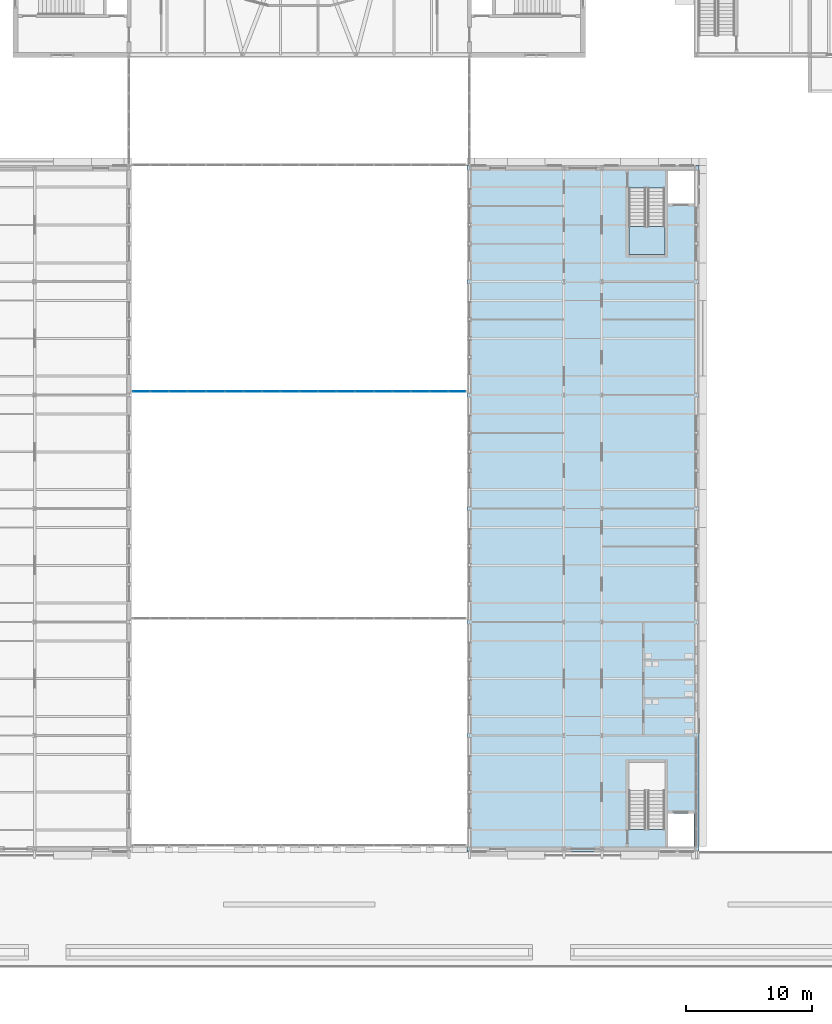
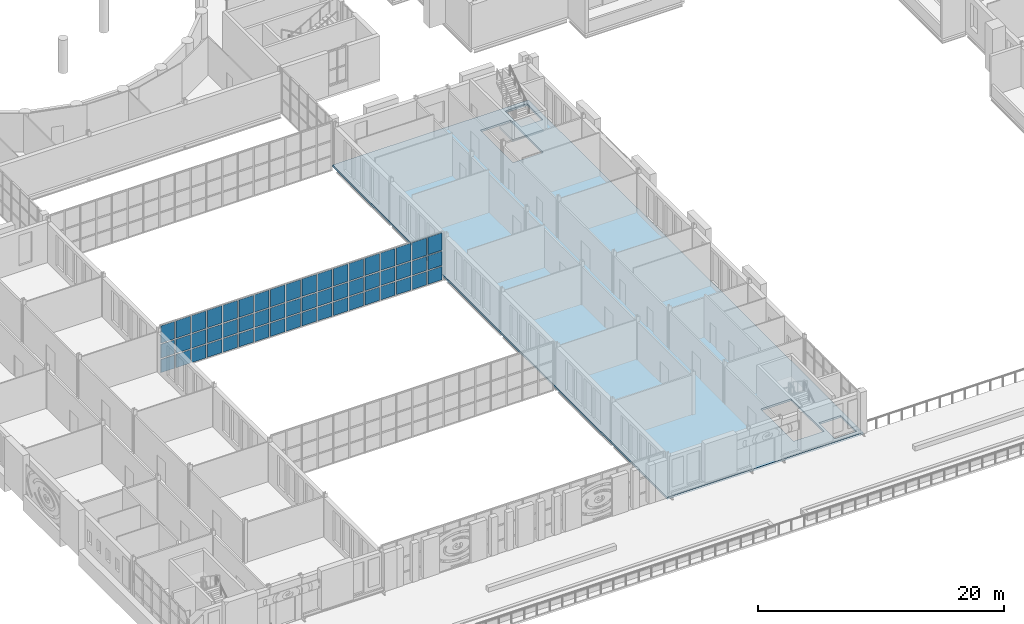
# One storey, part 61 of 134: 54 plates, 2 slabs, 2 elements without a shape of their own.
"""IFC4 building model written with IfcOpenShell, lengths in metres."""

import ifcopenshell
import ifcopenshell.guid

model = None  # the IFC model being written
_history = None  # IfcOwnerHistory: only IFC2X3 demands one
_inside = {}  # id of a spatial element -> (the spatial element, [elements in it])
_under = {}  # id of a project, library or spatial element -> (it, [spatial elements below it])
_declared = {}  # id of a project -> (the project, [libraries it declares])
_typed = {}  # id of a type object -> (the type object, [elements of that type])
_made_of = {}  # id of a material, layer set ... -> (it, [elements and type objects made of it])


def new_model(schema):
    """Start an empty IFC model of exactly this schema.

    Asked for "IFC4X3", IfcOpenShell would pick the latest addendum, in which some entities
    have other attributes; the version numbers below select the first issue.
    IFC2X3 requires an IfcOwnerHistory on every rooted entity: one is made here for all.
    """
    global model, _history
    if schema == "IFC4X3":
        model = ifcopenshell.file(schema_version=(4, 3, 0, 0))
    else:
        model = ifcopenshell.file(schema=schema)
    _inside.clear()
    _under.clear()
    _declared.clear()
    _typed.clear()
    _made_of.clear()
    _history = None
    if model.schema == "IFC2X3":
        org = make("IfcOrganization", Name="unknown")
        user = make(
            "IfcPersonAndOrganization",
            ThePerson=make("IfcPerson", FamilyName="unknown"),
            TheOrganization=org,
        )
        app = make(
            "IfcApplication",
            ApplicationDeveloper=org,
            Version="unknown",
            ApplicationFullName="unknown",
            ApplicationIdentifier="unknown",
        )
        _history = make(
            "IfcOwnerHistory",
            OwningUser=user,
            OwningApplication=app,
            ChangeAction="ADDED",
            CreationDate=0,
        )
    return model


def make(cls, **values):
    """One entity of the class cls with the attributes given. An attribute that is None is left unset."""
    return model.create_entity(
        cls, **{name: value for name, value in values.items() if value is not None}
    )


def rooted(cls, **values):
    """An entity with a GlobalId (a new one), such as an element, a storey or a relation."""
    return make(cls, GlobalId=ifcopenshell.guid.new(), OwnerHistory=_history, **values)


def si_unit(unit_type, name, prefix=None):
    """IfcSIUnit, for example si_unit("LENGTHUNIT", "METRE", prefix="MILLI")."""
    return make("IfcSIUnit", UnitType=unit_type, Prefix=prefix, Name=name)


def assignment(units):
    """IfcUnitAssignment: the units of a project."""
    return None if units is None else make("IfcUnitAssignment", Units=units)


def point(xyz):
    """IfcCartesianPoint."""
    return None if xyz is None else make("IfcCartesianPoint", Coordinates=xyz)


def direction(xyz):
    """IfcDirection."""
    return None if xyz is None else make("IfcDirection", DirectionRatios=xyz)


def frame(location, z_axis=None, x_axis=None):
    """IfcAxis2Placement3D, a coordinate frame: its origin and axes. An axis left out is left unset."""
    return make(
        "IfcAxis2Placement3D",
        Location=point(location),
        Axis=direction(z_axis),
        RefDirection=direction(x_axis),
    )


def frame_2d(location, x_axis=None):
    """IfcAxis2Placement2D, a coordinate frame in the plane: its origin and x axis."""
    return make(
        "IfcAxis2Placement2D", Location=point(location), RefDirection=direction(x_axis)
    )


def origin():
    """The frame at (0, 0, 0) with its axes left unset."""
    return frame((0.0, 0.0, 0.0))


def origin_2d():
    """The frame at (0, 0) in the plane with its x axis left unset."""
    return frame_2d((0.0, 0.0))


def place(relative_to, where):
    """IfcLocalPlacement: puts the frame where relative to a parent placement (None: the world)."""
    return make(
        "IfcLocalPlacement", PlacementRelTo=relative_to, RelativePlacement=where
    )


def context(
    kind, dimensions, precision=None, world=None, true_north=None, identifier=None
):
    """IfcGeometricRepresentationContext, for example the 3D "Model" context."""
    return make(
        "IfcGeometricRepresentationContext",
        ContextIdentifier=identifier,
        ContextType=kind,
        CoordinateSpaceDimension=dimensions,
        Precision=precision,
        WorldCoordinateSystem=world,
        TrueNorth=true_north,
    )


def subcontext(parent, identifier, kind, view, scale=None):
    """IfcGeometricRepresentationSubContext, for example "Body" below "Model"."""
    return make(
        "IfcGeometricRepresentationSubContext",
        ContextIdentifier=identifier,
        ContextType=kind,
        ParentContext=parent,
        TargetScale=scale,
        TargetView=view,
    )


def project(units=None, contexts=None):
    """IfcProject with its units and contexts."""
    return rooted(
        "IfcProject",
        Name="project",
        RepresentationContexts=contexts,
        UnitsInContext=assignment(units),
    )


def spatial(cls, under=None, at=None, **own):
    """A site, building, storey or space (cls), placed at a placement, below another one or the project."""
    s = rooted(cls, ObjectPlacement=at, **own)
    if under is not None:
        _under.setdefault(under.id(), (under, []))[1].append(s)
    return s


def polyline(points):
    """IfcPolyline through the points."""
    return make("IfcPolyline", Points=[point(p) for p in points])


def profile(cls, at=None, kind="AREA", **sizes):
    """A parametric profile (cls). Its sizes go by their IFC names, for example OverallWidth=200.0."""
    return make(cls, ProfileType=kind, Position=at, **sizes)


def rectangle(**sizes):
    """IfcRectangleProfileDef."""
    return profile("IfcRectangleProfileDef", **sizes)


def outline(outer, holes=None, kind="AREA"):
    """IfcArbitraryClosedProfileDef: a profile drawn as a closed curve; with holes, ...WithVoids."""
    if holes is None:
        return make("IfcArbitraryClosedProfileDef", ProfileType=kind, OuterCurve=outer)
    return make(
        "IfcArbitraryProfileDefWithVoids",
        ProfileType=kind,
        OuterCurve=outer,
        InnerCurves=holes,
    )


def extrude(swept, where, along, depth):
    """IfcExtrudedAreaSolid: the profile swept, set in the frame where, extruded along a direction by depth."""
    return make(
        "IfcExtrudedAreaSolid",
        SweptArea=swept,
        Position=where,
        ExtrudedDirection=direction(along),
        Depth=depth,
    )


def shape(context_of_items, identifier, shape_type, items):
    """IfcShapeRepresentation: the items that make up one representation, for example the "Body"."""
    return make(
        "IfcShapeRepresentation",
        ContextOfItems=context_of_items,
        RepresentationIdentifier=identifier,
        RepresentationType=shape_type,
        Items=items,
    )


def material(Name=None, Category=None):
    """IfcMaterial."""
    return make("IfcMaterial", Name=Name, Category=Category)


def layer(
    of_material, thickness, ventilated=None, Name=None, Category=None, Priority=None
):
    """IfcMaterialLayer: one layer of a wall or slab, of a material (None: an air gap)."""
    return make(
        "IfcMaterialLayer",
        Material=of_material,
        LayerThickness=thickness,
        IsVentilated=ventilated,
        Name=Name,
        Category=Category,
        Priority=Priority,
    )


def layer_set(layers, Name=None):
    """IfcMaterialLayerSet."""
    return make("IfcMaterialLayerSet", MaterialLayers=layers, LayerSetName=Name)


def made_of(thing, what):
    """Note that an element or type object is made of a material, layer set ...; save() writes the relation."""
    if what is not None:
        _made_of.setdefault(what.id(), (what, []))[1].append(thing)
    return thing


def type_object(cls, material=None, **own):
    """A type object (cls), such as IfcWallType, which elements share."""
    return made_of(rooted(cls, **own), material)


def element(
    cls,
    number,
    at=None,
    inside=None,
    cuts=None,
    type_object=None,
    material=None,
    context=None,
    identifier="Body",
    shape_type=None,
    held_by="IfcProductDefinitionShape",
    body=None,
    shapes=None,
    **own,
):
    """One element of the class cls, such as IfcWall. Its Tag is "e" and its number.

    at: its placement. inside: the storey or other place that contains it. cuts: it is an
    opening in that element (IfcRelVoidsElement). A single representation is given by context,
    identifier, shape_type and body (its items); several are given by shapes. held_by: the class
    of the entity that holds the representations. save() writes the other relations.
    """
    e = rooted(cls, Tag="e%d" % number, ObjectPlacement=at, **own)
    if body is not None:
        shapes = [shape(context, identifier, shape_type, body)]
    if shapes is not None:
        e.Representation = make(held_by, Representations=shapes)
    if inside is not None:
        _inside.setdefault(inside.id(), (inside, []))[1].append(e)
    if cuts is not None:
        rooted(
            "IfcRelVoidsElement", RelatingBuildingElement=cuts, RelatedOpeningElement=e
        )
    if type_object is not None:
        _typed.setdefault(type_object.id(), (type_object, []))[1].append(e)
    return made_of(e, material)


def aggregate(whole, parts):
    """IfcRelAggregates: a whole, such as a stair, and the parts it consists of."""
    return rooted("IfcRelAggregates", RelatingObject=whole, RelatedObjects=parts)


def save(model, path):
    """Write the relations noted so far, then the file.

    IfcRelAggregates (storeys below a building ...), IfcRelContainedInSpatialStructure (elements
    in a storey), IfcRelDefinesByType, IfcRelAssociatesMaterial and IfcRelDeclares: one each for
    every whole, place, type object, material and project.
    """
    for whole, parts in _under.values():
        aggregate(whole, parts)
    for where, things in _inside.values():
        rooted(
            "IfcRelContainedInSpatialStructure",
            RelatedElements=things,
            RelatingStructure=where,
        )
    for kind, things in _typed.values():
        rooted("IfcRelDefinesByType", RelatedObjects=things, RelatingType=kind)
    for what, things in _made_of.values():
        rooted("IfcRelAssociatesMaterial", RelatedObjects=things, RelatingMaterial=what)
    for by, libraries in _declared.values():
        rooted("IfcRelDeclares", RelatingContext=by, RelatedDefinitions=libraries)
    model.write(path)


model = new_model("IFC4")

# Units and contexts
model_context = context("Model", 3, precision=1e-05, world=origin(), true_north=direction((0.0, 1.0)))
body_context = subcontext(model_context, "Body", "Model", "MODEL_VIEW")
ifc_project = project(units=[si_unit("LENGTHUNIT", "METRE"), si_unit("AREAUNIT", "SQUARE_METRE"), si_unit("VOLUMEUNIT", "CUBIC_METRE"), si_unit("PLANEANGLEUNIT", "RADIAN"), si_unit("MASSUNIT", "GRAM", prefix="KILO")], contexts=[model_context])

# Site, building, storey
site_placement = place(None, origin())
site = spatial("IfcSite", under=ifc_project, at=site_placement, CompositionType="ELEMENT")
building_placement = place(site_placement, origin())
building = spatial("IfcBuilding", under=site, at=building_placement, Name="Golden Quay Civic Hall", CompositionType="ELEMENT")
storey_placement = place(building_placement, frame((0.0, 0.0, 5.39990234375)))
storey = spatial("IfcBuildingStorey", under=building, at=storey_placement, Name="L01", CompositionType="ELEMENT", Elevation=5.39990234375)

# Slab
ifc_material_1 = material(Name="Concrete C35/45", Category="concrete")
ifc_layer_1 = layer(ifc_material_1, 0.199951171875)
ifc_layer_set_1 = layer_set([ifc_layer_1], Name="Composite floor 200")
slab_type_1 = type_object("IfcSlabType", Name="Composite floor 200", PredefinedType="FLOOR", material=ifc_layer_set_1)
slab_1_placement = place(storey_placement, frame((0.0, 0.0, -0.199951171875)))
element("IfcSlab", 1, at=slab_1_placement, inside=storey, type_object=slab_type_1, Name="EM floor L01", PredefinedType="FLOOR", context=body_context, shape_type="SweptSolid", body=[
    extrude(outline(polyline([(98.800048828125, 54.199951171875), (117.199951171875, 54.199951171875), (117.199951171875, -0.199951171875), (98.800048828125, -0.199951171875), (98.800048828125, 54.199951171875)]), holes=[polyline([(114.5, 1.554931640625), (114.5, 6.85009765625), (111.64990234375, 6.85009765625), (111.64990234375, 1.554931640625), (114.5, 1.554931640625)]), polyline([(114.75, 0.199951171875), (116.800048828125, 0.199951171875), (116.800048828125, 2.800048828125), (114.75, 2.800048828125), (114.75, 0.199951171875)]), polyline([(111.64990234375, 52.445068359375), (111.64990234375, 47.14990234375), (114.5, 47.14990234375), (114.5, 52.445068359375), (111.64990234375, 52.445068359375)]), polyline([(116.800048828125, 53.800048828125), (114.75, 53.800048828125), (114.75, 51.199951171875), (116.800048828125, 51.199951171875), (116.800048828125, 53.800048828125)])]), origin(), (0.0, 0.0, 1.0), 0.199951171875),
])

# Stair, slab
ifc_material_2 = material(Name="Concrete C35/45", Category="concrete")
stair_type = type_object("IfcStairType", Name="Concrete stair 1350 wide 24 risers of 187.5", PredefinedType="HALF_TURN_STAIR", material=ifc_material_2)
stair_placement = place(storey_placement, origin())
stair = element("IfcStair", 2, at=stair_placement, inside=storey, type_object=stair_type, Name="L01 Stair EM-N", PredefinedType="HALF_TURN_STAIR")
ifc_material_3 = material(Name="Concrete C35/45", Category="concrete")
ifc_layer_2 = layer(ifc_material_3, 0.199951171875)
ifc_layer_set_2 = layer_set([ifc_layer_2], Name="Concrete stair landing 200, Concrete C35/45")
slab_type_2 = type_object("IfcSlabType", Name="Concrete stair landing 200", PredefinedType="LANDING", material=ifc_layer_set_2)
slab_2_placement = place(storey_placement, frame((0.0, 0.0, 2.050048828125)))
slab_2 = element("IfcSlab", 3, at=slab_2_placement, type_object=slab_type_2, Name="EM-N landing 1", PredefinedType="LANDING", context=body_context, shape_type="SweptSolid", body=[
    extrude(outline(polyline([(111.64990234375, 49.3701171875), (111.64990234375, 47.14990234375), (114.5, 47.14990234375), (114.5, 49.3701171875), (111.64990234375, 49.3701171875)])), origin(), (0.0, 0.0, 1.0), 0.199951171875),
])
aggregate(stair, [slab_2])

# Curtain wall, plates
ifc_material_4 = material(Name="Fire-resisting glass and steel", Category="steel")
curtain_wall_type = type_object("IfcCurtainWallType", Name="Fire-resisting glazed curtain wall EI 120", PredefinedType="NOTDEFINED", material=ifc_material_4)
curtain_wall_placement = place(storey_placement, origin())
curtain_wall = element("IfcCurtainWall", 4, at=curtain_wall_placement, inside=storey, type_object=curtain_wall_type, Name="CW3 curtain wall", PredefinedType="NOTDEFINED")
ifc_material_5 = material(Name="Fire-resisting laminated glass", Category="glass")
ifc_layer_3 = layer(ifc_material_5, 0.0400390625)
ifc_layer_set_3 = layer_set([ifc_layer_3], Name="Fire-resisting glazed panel 40")
plate_type = type_object("IfcPlateType", Name="Fire-resisting glazed panel 40", PredefinedType="CURTAIN_PANEL", material=ifc_layer_set_3)
plate_1_placement = place(storey_placement, frame((72.968994140625, 36.27001953125, -0.47998046875), z_axis=(0.0, 0.0, 1.0), x_axis=(1.0, 0.0, 0.0)))
plate_1 = element("IfcPlate", 5, at=plate_1_placement, type_object=plate_type, Name="CW3 panel 1.1", PredefinedType="CURTAIN_PANEL", context=body_context, shape_type="SweptSolid", body=[
    extrude(rectangle(XDim=1.2978515625, YDim=0.0400390625, at=origin_2d()), origin(), (0.0, 0.0, 1.0), 1.320068359375),
])
plate_2_placement = place(storey_placement, frame((72.968994140625, 36.27001953125, 0.960205078125), z_axis=(0.0, 0.0, 1.0), x_axis=(1.0, 0.0, 0.0)))
plate_2 = element("IfcPlate", 6, at=plate_2_placement, type_object=plate_type, Name="CW3 panel 1.2", PredefinedType="CURTAIN_PANEL", context=body_context, shape_type="SweptSolid", body=[
    extrude(rectangle(XDim=1.2978515625, YDim=0.0400390625, at=origin_2d()), origin(), (0.0, 0.0, 1.0), 1.3798828125),
])
plate_3_placement = place(storey_placement, frame((72.968994140625, 36.27001953125, 2.4599609375), z_axis=(0.0, 0.0, 1.0), x_axis=(1.0, 0.0, 0.0)))
plate_3 = element("IfcPlate", 7, at=plate_3_placement, type_object=plate_type, Name="CW3 panel 1.3", PredefinedType="CURTAIN_PANEL", context=body_context, shape_type="SweptSolid", body=[
    extrude(rectangle(XDim=1.2978515625, YDim=0.0400390625, at=origin_2d()), origin(), (0.0, 0.0, 1.0), 1.719970703125),
])
plate_4_placement = place(storey_placement, frame((74.416748046875, 36.27001953125, -0.47998046875), z_axis=(0.0, 0.0, 1.0), x_axis=(1.0, 0.0, 0.0)))
plate_4 = element("IfcPlate", 8, at=plate_4_placement, type_object=plate_type, Name="CW3 panel 2.1", PredefinedType="CURTAIN_PANEL", context=body_context, shape_type="SweptSolid", body=[
    extrude(rectangle(XDim=1.357666015625, YDim=0.0400390625, at=origin_2d()), origin(), (0.0, 0.0, 1.0), 1.320068359375),
])
plate_5_placement = place(storey_placement, frame((74.416748046875, 36.27001953125, 0.960205078125), z_axis=(0.0, 0.0, 1.0), x_axis=(1.0, 0.0, 0.0)))
plate_5 = element("IfcPlate", 9, at=plate_5_placement, type_object=plate_type, Name="CW3 panel 2.2", PredefinedType="CURTAIN_PANEL", context=body_context, shape_type="SweptSolid", body=[
    extrude(rectangle(XDim=1.357666015625, YDim=0.0400390625, at=origin_2d()), origin(), (0.0, 0.0, 1.0), 1.3798828125),
])
plate_6_placement = place(storey_placement, frame((74.416748046875, 36.27001953125, 2.4599609375), z_axis=(0.0, 0.0, 1.0), x_axis=(1.0, 0.0, 0.0)))
plate_6 = element("IfcPlate", 10, at=plate_6_placement, type_object=plate_type, Name="CW3 panel 2.3", PredefinedType="CURTAIN_PANEL", context=body_context, shape_type="SweptSolid", body=[
    extrude(rectangle(XDim=1.357666015625, YDim=0.0400390625, at=origin_2d()), origin(), (0.0, 0.0, 1.0), 1.719970703125),
])
plate_7_placement = place(storey_placement, frame((75.89453125, 36.27001953125, -0.47998046875), z_axis=(0.0, 0.0, 1.0), x_axis=(1.0, 0.0, 0.0)))
plate_7 = element("IfcPlate", 11, at=plate_7_placement, type_object=plate_type, Name="CW3 panel 3.1", PredefinedType="CURTAIN_PANEL", context=body_context, shape_type="SweptSolid", body=[
    extrude(rectangle(XDim=1.357666015625, YDim=0.0400390625, at=origin_2d()), origin(), (0.0, 0.0, 1.0), 1.320068359375),
])
plate_8_placement = place(storey_placement, frame((75.89453125, 36.27001953125, 0.960205078125), z_axis=(0.0, 0.0, 1.0), x_axis=(1.0, 0.0, 0.0)))
plate_8 = element("IfcPlate", 12, at=plate_8_placement, type_object=plate_type, Name="CW3 panel 3.2", PredefinedType="CURTAIN_PANEL", context=body_context, shape_type="SweptSolid", body=[
    extrude(rectangle(XDim=1.357666015625, YDim=0.0400390625, at=origin_2d()), origin(), (0.0, 0.0, 1.0), 1.3798828125),
])
plate_9_placement = place(storey_placement, frame((75.89453125, 36.27001953125, 2.4599609375), z_axis=(0.0, 0.0, 1.0), x_axis=(1.0, 0.0, 0.0)))
plate_9 = element("IfcPlate", 13, at=plate_9_placement, type_object=plate_type, Name="CW3 panel 3.3", PredefinedType="CURTAIN_PANEL", context=body_context, shape_type="SweptSolid", body=[
    extrude(rectangle(XDim=1.357666015625, YDim=0.0400390625, at=origin_2d()), origin(), (0.0, 0.0, 1.0), 1.719970703125),
])
plate_10_placement = place(storey_placement, frame((77.372314453125, 36.27001953125, -0.47998046875), z_axis=(0.0, 0.0, 1.0), x_axis=(1.0, 0.0, 0.0)))
plate_10 = element("IfcPlate", 14, at=plate_10_placement, type_object=plate_type, Name="CW3 panel 4.1", PredefinedType="CURTAIN_PANEL", context=body_context, shape_type="SweptSolid", body=[
    extrude(rectangle(XDim=1.357666015625, YDim=0.0400390625, at=origin_2d()), origin(), (0.0, 0.0, 1.0), 1.320068359375),
])
plate_11_placement = place(storey_placement, frame((77.372314453125, 36.27001953125, 0.960205078125), z_axis=(0.0, 0.0, 1.0), x_axis=(1.0, 0.0, 0.0)))
plate_11 = element("IfcPlate", 15, at=plate_11_placement, type_object=plate_type, Name="CW3 panel 4.2", PredefinedType="CURTAIN_PANEL", context=body_context, shape_type="SweptSolid", body=[
    extrude(rectangle(XDim=1.357666015625, YDim=0.0400390625, at=origin_2d()), origin(), (0.0, 0.0, 1.0), 1.3798828125),
])
plate_12_placement = place(storey_placement, frame((77.372314453125, 36.27001953125, 2.4599609375), z_axis=(0.0, 0.0, 1.0), x_axis=(1.0, 0.0, 0.0)))
plate_12 = element("IfcPlate", 16, at=plate_12_placement, type_object=plate_type, Name="CW3 panel 4.3", PredefinedType="CURTAIN_PANEL", context=body_context, shape_type="SweptSolid", body=[
    extrude(rectangle(XDim=1.357666015625, YDim=0.0400390625, at=origin_2d()), origin(), (0.0, 0.0, 1.0), 1.719970703125),
])
plate_13_placement = place(storey_placement, frame((78.85009765625, 36.27001953125, -0.47998046875), z_axis=(0.0, 0.0, 1.0), x_axis=(1.0, 0.0, 0.0)))
plate_13 = element("IfcPlate", 17, at=plate_13_placement, type_object=plate_type, Name="CW3 panel 5.1", PredefinedType="CURTAIN_PANEL", context=body_context, shape_type="SweptSolid", body=[
    extrude(rectangle(XDim=1.357666015625, YDim=0.0400390625, at=origin_2d()), origin(), (0.0, 0.0, 1.0), 1.320068359375),
])
plate_14_placement = place(storey_placement, frame((78.85009765625, 36.27001953125, 0.960205078125), z_axis=(0.0, 0.0, 1.0), x_axis=(1.0, 0.0, 0.0)))
plate_14 = element("IfcPlate", 18, at=plate_14_placement, type_object=plate_type, Name="CW3 panel 5.2", PredefinedType="CURTAIN_PANEL", context=body_context, shape_type="SweptSolid", body=[
    extrude(rectangle(XDim=1.357666015625, YDim=0.0400390625, at=origin_2d()), origin(), (0.0, 0.0, 1.0), 1.3798828125),
])
plate_15_placement = place(storey_placement, frame((78.85009765625, 36.27001953125, 2.4599609375), z_axis=(0.0, 0.0, 1.0), x_axis=(1.0, 0.0, 0.0)))
plate_15 = element("IfcPlate", 19, at=plate_15_placement, type_object=plate_type, Name="CW3 panel 5.3", PredefinedType="CURTAIN_PANEL", context=body_context, shape_type="SweptSolid", body=[
    extrude(rectangle(XDim=1.357666015625, YDim=0.0400390625, at=origin_2d()), origin(), (0.0, 0.0, 1.0), 1.719970703125),
])
plate_16_placement = place(storey_placement, frame((80.327880859375, 36.27001953125, -0.47998046875), z_axis=(0.0, 0.0, 1.0), x_axis=(1.0, 0.0, 0.0)))
plate_16 = element("IfcPlate", 20, at=plate_16_placement, type_object=plate_type, Name="CW3 panel 6.1", PredefinedType="CURTAIN_PANEL", context=body_context, shape_type="SweptSolid", body=[
    extrude(rectangle(XDim=1.357666015625, YDim=0.0400390625, at=origin_2d()), origin(), (0.0, 0.0, 1.0), 1.320068359375),
])
plate_17_placement = place(storey_placement, frame((80.327880859375, 36.27001953125, 0.960205078125), z_axis=(0.0, 0.0, 1.0), x_axis=(1.0, 0.0, 0.0)))
plate_17 = element("IfcPlate", 21, at=plate_17_placement, type_object=plate_type, Name="CW3 panel 6.2", PredefinedType="CURTAIN_PANEL", context=body_context, shape_type="SweptSolid", body=[
    extrude(rectangle(XDim=1.357666015625, YDim=0.0400390625, at=origin_2d()), origin(), (0.0, 0.0, 1.0), 1.3798828125),
])
plate_18_placement = place(storey_placement, frame((80.327880859375, 36.27001953125, 2.4599609375), z_axis=(0.0, 0.0, 1.0), x_axis=(1.0, 0.0, 0.0)))
plate_18 = element("IfcPlate", 22, at=plate_18_placement, type_object=plate_type, Name="CW3 panel 6.3", PredefinedType="CURTAIN_PANEL", context=body_context, shape_type="SweptSolid", body=[
    extrude(rectangle(XDim=1.357666015625, YDim=0.0400390625, at=origin_2d()), origin(), (0.0, 0.0, 1.0), 1.719970703125),
])
plate_19_placement = place(storey_placement, frame((81.8056640625, 36.27001953125, -0.47998046875), z_axis=(0.0, 0.0, 1.0), x_axis=(1.0, 0.0, 0.0)))
plate_19 = element("IfcPlate", 23, at=plate_19_placement, type_object=plate_type, Name="CW3 panel 7.1", PredefinedType="CURTAIN_PANEL", context=body_context, shape_type="SweptSolid", body=[
    extrude(rectangle(XDim=1.357666015625, YDim=0.0400390625, at=origin_2d()), origin(), (0.0, 0.0, 1.0), 1.320068359375),
])
plate_20_placement = place(storey_placement, frame((81.8056640625, 36.27001953125, 0.960205078125), z_axis=(0.0, 0.0, 1.0), x_axis=(1.0, 0.0, 0.0)))
plate_20 = element("IfcPlate", 24, at=plate_20_placement, type_object=plate_type, Name="CW3 panel 7.2", PredefinedType="CURTAIN_PANEL", context=body_context, shape_type="SweptSolid", body=[
    extrude(rectangle(XDim=1.357666015625, YDim=0.0400390625, at=origin_2d()), origin(), (0.0, 0.0, 1.0), 1.3798828125),
])
plate_21_placement = place(storey_placement, frame((81.8056640625, 36.27001953125, 2.4599609375), z_axis=(0.0, 0.0, 1.0), x_axis=(1.0, 0.0, 0.0)))
plate_21 = element("IfcPlate", 25, at=plate_21_placement, type_object=plate_type, Name="CW3 panel 7.3", PredefinedType="CURTAIN_PANEL", context=body_context, shape_type="SweptSolid", body=[
    extrude(rectangle(XDim=1.357666015625, YDim=0.0400390625, at=origin_2d()), origin(), (0.0, 0.0, 1.0), 1.719970703125),
])
plate_22_placement = place(storey_placement, frame((83.283447265625, 36.27001953125, -0.47998046875), z_axis=(0.0, 0.0, 1.0), x_axis=(1.0, 0.0, 0.0)))
plate_22 = element("IfcPlate", 26, at=plate_22_placement, type_object=plate_type, Name="CW3 panel 8.1", PredefinedType="CURTAIN_PANEL", context=body_context, shape_type="SweptSolid", body=[
    extrude(rectangle(XDim=1.357666015625, YDim=0.0400390625, at=origin_2d()), origin(), (0.0, 0.0, 1.0), 1.320068359375),
])
plate_23_placement = place(storey_placement, frame((83.283447265625, 36.27001953125, 0.960205078125), z_axis=(0.0, 0.0, 1.0), x_axis=(1.0, 0.0, 0.0)))
plate_23 = element("IfcPlate", 27, at=plate_23_placement, type_object=plate_type, Name="CW3 panel 8.2", PredefinedType="CURTAIN_PANEL", context=body_context, shape_type="SweptSolid", body=[
    extrude(rectangle(XDim=1.357666015625, YDim=0.0400390625, at=origin_2d()), origin(), (0.0, 0.0, 1.0), 1.3798828125),
])
plate_24_placement = place(storey_placement, frame((83.283447265625, 36.27001953125, 2.4599609375), z_axis=(0.0, 0.0, 1.0), x_axis=(1.0, 0.0, 0.0)))
plate_24 = element("IfcPlate", 28, at=plate_24_placement, type_object=plate_type, Name="CW3 panel 8.3", PredefinedType="CURTAIN_PANEL", context=body_context, shape_type="SweptSolid", body=[
    extrude(rectangle(XDim=1.357666015625, YDim=0.0400390625, at=origin_2d()), origin(), (0.0, 0.0, 1.0), 1.719970703125),
])
plate_25_placement = place(storey_placement, frame((84.76123046875, 36.27001953125, -0.47998046875), z_axis=(0.0, 0.0, 1.0), x_axis=(1.0, 0.0, 0.0)))
plate_25 = element("IfcPlate", 29, at=plate_25_placement, type_object=plate_type, Name="CW3 panel 9.1", PredefinedType="CURTAIN_PANEL", context=body_context, shape_type="SweptSolid", body=[
    extrude(rectangle(XDim=1.357666015625, YDim=0.0400390625, at=origin_2d()), origin(), (0.0, 0.0, 1.0), 1.320068359375),
])
plate_26_placement = place(storey_placement, frame((84.76123046875, 36.27001953125, 0.960205078125), z_axis=(0.0, 0.0, 1.0), x_axis=(1.0, 0.0, 0.0)))
plate_26 = element("IfcPlate", 30, at=plate_26_placement, type_object=plate_type, Name="CW3 panel 9.2", PredefinedType="CURTAIN_PANEL", context=body_context, shape_type="SweptSolid", body=[
    extrude(rectangle(XDim=1.357666015625, YDim=0.0400390625, at=origin_2d()), origin(), (0.0, 0.0, 1.0), 1.3798828125),
])
plate_27_placement = place(storey_placement, frame((84.76123046875, 36.27001953125, 2.4599609375), z_axis=(0.0, 0.0, 1.0), x_axis=(1.0, 0.0, 0.0)))
plate_27 = element("IfcPlate", 31, at=plate_27_placement, type_object=plate_type, Name="CW3 panel 9.3", PredefinedType="CURTAIN_PANEL", context=body_context, shape_type="SweptSolid", body=[
    extrude(rectangle(XDim=1.357666015625, YDim=0.0400390625, at=origin_2d()), origin(), (0.0, 0.0, 1.0), 1.719970703125),
])
plate_28_placement = place(storey_placement, frame((86.23876953125, 36.27001953125, -0.47998046875), z_axis=(0.0, 0.0, 1.0), x_axis=(1.0, 0.0, 0.0)))
plate_28 = element("IfcPlate", 32, at=plate_28_placement, type_object=plate_type, Name="CW3 panel 10.1", PredefinedType="CURTAIN_PANEL", context=body_context, shape_type="SweptSolid", body=[
    extrude(rectangle(XDim=1.357666015625, YDim=0.0400390625, at=origin_2d()), origin(), (0.0, 0.0, 1.0), 1.320068359375),
])
plate_29_placement = place(storey_placement, frame((86.23876953125, 36.27001953125, 0.960205078125), z_axis=(0.0, 0.0, 1.0), x_axis=(1.0, 0.0, 0.0)))
plate_29 = element("IfcPlate", 33, at=plate_29_placement, type_object=plate_type, Name="CW3 panel 10.2", PredefinedType="CURTAIN_PANEL", context=body_context, shape_type="SweptSolid", body=[
    extrude(rectangle(XDim=1.357666015625, YDim=0.0400390625, at=origin_2d()), origin(), (0.0, 0.0, 1.0), 1.3798828125),
])
plate_30_placement = place(storey_placement, frame((86.23876953125, 36.27001953125, 2.4599609375), z_axis=(0.0, 0.0, 1.0), x_axis=(1.0, 0.0, 0.0)))
plate_30 = element("IfcPlate", 34, at=plate_30_placement, type_object=plate_type, Name="CW3 panel 10.3", PredefinedType="CURTAIN_PANEL", context=body_context, shape_type="SweptSolid", body=[
    extrude(rectangle(XDim=1.357666015625, YDim=0.0400390625, at=origin_2d()), origin(), (0.0, 0.0, 1.0), 1.719970703125),
])
plate_31_placement = place(storey_placement, frame((87.716552734375, 36.27001953125, -0.47998046875), z_axis=(0.0, 0.0, 1.0), x_axis=(1.0, 0.0, 0.0)))
plate_31 = element("IfcPlate", 35, at=plate_31_placement, type_object=plate_type, Name="CW3 panel 11.1", PredefinedType="CURTAIN_PANEL", context=body_context, shape_type="SweptSolid", body=[
    extrude(rectangle(XDim=1.357666015625, YDim=0.0400390625, at=origin_2d()), origin(), (0.0, 0.0, 1.0), 1.320068359375),
])
plate_32_placement = place(storey_placement, frame((87.716552734375, 36.27001953125, 0.960205078125), z_axis=(0.0, 0.0, 1.0), x_axis=(1.0, 0.0, 0.0)))
plate_32 = element("IfcPlate", 36, at=plate_32_placement, type_object=plate_type, Name="CW3 panel 11.2", PredefinedType="CURTAIN_PANEL", context=body_context, shape_type="SweptSolid", body=[
    extrude(rectangle(XDim=1.357666015625, YDim=0.0400390625, at=origin_2d()), origin(), (0.0, 0.0, 1.0), 1.3798828125),
])
plate_33_placement = place(storey_placement, frame((87.716552734375, 36.27001953125, 2.4599609375), z_axis=(0.0, 0.0, 1.0), x_axis=(1.0, 0.0, 0.0)))
plate_33 = element("IfcPlate", 37, at=plate_33_placement, type_object=plate_type, Name="CW3 panel 11.3", PredefinedType="CURTAIN_PANEL", context=body_context, shape_type="SweptSolid", body=[
    extrude(rectangle(XDim=1.357666015625, YDim=0.0400390625, at=origin_2d()), origin(), (0.0, 0.0, 1.0), 1.719970703125),
])
plate_34_placement = place(storey_placement, frame((89.1943359375, 36.27001953125, -0.47998046875), z_axis=(0.0, 0.0, 1.0), x_axis=(1.0, 0.0, 0.0)))
plate_34 = element("IfcPlate", 38, at=plate_34_placement, type_object=plate_type, Name="CW3 panel 12.1", PredefinedType="CURTAIN_PANEL", context=body_context, shape_type="SweptSolid", body=[
    extrude(rectangle(XDim=1.357666015625, YDim=0.0400390625, at=origin_2d()), origin(), (0.0, 0.0, 1.0), 1.320068359375),
])
plate_35_placement = place(storey_placement, frame((89.1943359375, 36.27001953125, 0.960205078125), z_axis=(0.0, 0.0, 1.0), x_axis=(1.0, 0.0, 0.0)))
plate_35 = element("IfcPlate", 39, at=plate_35_placement, type_object=plate_type, Name="CW3 panel 12.2", PredefinedType="CURTAIN_PANEL", context=body_context, shape_type="SweptSolid", body=[
    extrude(rectangle(XDim=1.357666015625, YDim=0.0400390625, at=origin_2d()), origin(), (0.0, 0.0, 1.0), 1.3798828125),
])
plate_36_placement = place(storey_placement, frame((89.1943359375, 36.27001953125, 2.4599609375), z_axis=(0.0, 0.0, 1.0), x_axis=(1.0, 0.0, 0.0)))
plate_36 = element("IfcPlate", 40, at=plate_36_placement, type_object=plate_type, Name="CW3 panel 12.3", PredefinedType="CURTAIN_PANEL", context=body_context, shape_type="SweptSolid", body=[
    extrude(rectangle(XDim=1.357666015625, YDim=0.0400390625, at=origin_2d()), origin(), (0.0, 0.0, 1.0), 1.719970703125),
])
plate_37_placement = place(storey_placement, frame((90.672119140625, 36.27001953125, -0.47998046875), z_axis=(0.0, 0.0, 1.0), x_axis=(1.0, 0.0, 0.0)))
plate_37 = element("IfcPlate", 41, at=plate_37_placement, type_object=plate_type, Name="CW3 panel 13.1", PredefinedType="CURTAIN_PANEL", context=body_context, shape_type="SweptSolid", body=[
    extrude(rectangle(XDim=1.357666015625, YDim=0.0400390625, at=origin_2d()), origin(), (0.0, 0.0, 1.0), 1.320068359375),
])
plate_38_placement = place(storey_placement, frame((90.672119140625, 36.27001953125, 0.960205078125), z_axis=(0.0, 0.0, 1.0), x_axis=(1.0, 0.0, 0.0)))
plate_38 = element("IfcPlate", 42, at=plate_38_placement, type_object=plate_type, Name="CW3 panel 13.2", PredefinedType="CURTAIN_PANEL", context=body_context, shape_type="SweptSolid", body=[
    extrude(rectangle(XDim=1.357666015625, YDim=0.0400390625, at=origin_2d()), origin(), (0.0, 0.0, 1.0), 1.3798828125),
])
plate_39_placement = place(storey_placement, frame((90.672119140625, 36.27001953125, 2.4599609375), z_axis=(0.0, 0.0, 1.0), x_axis=(1.0, 0.0, 0.0)))
plate_39 = element("IfcPlate", 43, at=plate_39_placement, type_object=plate_type, Name="CW3 panel 13.3", PredefinedType="CURTAIN_PANEL", context=body_context, shape_type="SweptSolid", body=[
    extrude(rectangle(XDim=1.357666015625, YDim=0.0400390625, at=origin_2d()), origin(), (0.0, 0.0, 1.0), 1.719970703125),
])
plate_40_placement = place(storey_placement, frame((92.14990234375, 36.27001953125, -0.47998046875), z_axis=(0.0, 0.0, 1.0), x_axis=(1.0, 0.0, 0.0)))
plate_40 = element("IfcPlate", 44, at=plate_40_placement, type_object=plate_type, Name="CW3 panel 14.1", PredefinedType="CURTAIN_PANEL", context=body_context, shape_type="SweptSolid", body=[
    extrude(rectangle(XDim=1.357666015625, YDim=0.0400390625, at=origin_2d()), origin(), (0.0, 0.0, 1.0), 1.320068359375),
])
plate_41_placement = place(storey_placement, frame((92.14990234375, 36.27001953125, 0.960205078125), z_axis=(0.0, 0.0, 1.0), x_axis=(1.0, 0.0, 0.0)))
plate_41 = element("IfcPlate", 45, at=plate_41_placement, type_object=plate_type, Name="CW3 panel 14.2", PredefinedType="CURTAIN_PANEL", context=body_context, shape_type="SweptSolid", body=[
    extrude(rectangle(XDim=1.357666015625, YDim=0.0400390625, at=origin_2d()), origin(), (0.0, 0.0, 1.0), 1.3798828125),
])
plate_42_placement = place(storey_placement, frame((92.14990234375, 36.27001953125, 2.4599609375), z_axis=(0.0, 0.0, 1.0), x_axis=(1.0, 0.0, 0.0)))
plate_42 = element("IfcPlate", 46, at=plate_42_placement, type_object=plate_type, Name="CW3 panel 14.3", PredefinedType="CURTAIN_PANEL", context=body_context, shape_type="SweptSolid", body=[
    extrude(rectangle(XDim=1.357666015625, YDim=0.0400390625, at=origin_2d()), origin(), (0.0, 0.0, 1.0), 1.719970703125),
])
plate_43_placement = place(storey_placement, frame((93.627685546875, 36.27001953125, -0.47998046875), z_axis=(0.0, 0.0, 1.0), x_axis=(1.0, 0.0, 0.0)))
plate_43 = element("IfcPlate", 47, at=plate_43_placement, type_object=plate_type, Name="CW3 panel 15.1", PredefinedType="CURTAIN_PANEL", context=body_context, shape_type="SweptSolid", body=[
    extrude(rectangle(XDim=1.357666015625, YDim=0.0400390625, at=origin_2d()), origin(), (0.0, 0.0, 1.0), 1.320068359375),
])
plate_44_placement = place(storey_placement, frame((93.627685546875, 36.27001953125, 0.960205078125), z_axis=(0.0, 0.0, 1.0), x_axis=(1.0, 0.0, 0.0)))
plate_44 = element("IfcPlate", 48, at=plate_44_placement, type_object=plate_type, Name="CW3 panel 15.2", PredefinedType="CURTAIN_PANEL", context=body_context, shape_type="SweptSolid", body=[
    extrude(rectangle(XDim=1.357666015625, YDim=0.0400390625, at=origin_2d()), origin(), (0.0, 0.0, 1.0), 1.3798828125),
])
plate_45_placement = place(storey_placement, frame((93.627685546875, 36.27001953125, 2.4599609375), z_axis=(0.0, 0.0, 1.0), x_axis=(1.0, 0.0, 0.0)))
plate_45 = element("IfcPlate", 49, at=plate_45_placement, type_object=plate_type, Name="CW3 panel 15.3", PredefinedType="CURTAIN_PANEL", context=body_context, shape_type="SweptSolid", body=[
    extrude(rectangle(XDim=1.357666015625, YDim=0.0400390625, at=origin_2d()), origin(), (0.0, 0.0, 1.0), 1.719970703125),
])
plate_46_placement = place(storey_placement, frame((95.10546875, 36.27001953125, -0.47998046875), z_axis=(0.0, 0.0, 1.0), x_axis=(1.0, 0.0, 0.0)))
plate_46 = element("IfcPlate", 50, at=plate_46_placement, type_object=plate_type, Name="CW3 panel 16.1", PredefinedType="CURTAIN_PANEL", context=body_context, shape_type="SweptSolid", body=[
    extrude(rectangle(XDim=1.357666015625, YDim=0.0400390625, at=origin_2d()), origin(), (0.0, 0.0, 1.0), 1.320068359375),
])
plate_47_placement = place(storey_placement, frame((95.10546875, 36.27001953125, 0.960205078125), z_axis=(0.0, 0.0, 1.0), x_axis=(1.0, 0.0, 0.0)))
plate_47 = element("IfcPlate", 51, at=plate_47_placement, type_object=plate_type, Name="CW3 panel 16.2", PredefinedType="CURTAIN_PANEL", context=body_context, shape_type="SweptSolid", body=[
    extrude(rectangle(XDim=1.357666015625, YDim=0.0400390625, at=origin_2d()), origin(), (0.0, 0.0, 1.0), 1.3798828125),
])
plate_48_placement = place(storey_placement, frame((95.10546875, 36.27001953125, 2.4599609375), z_axis=(0.0, 0.0, 1.0), x_axis=(1.0, 0.0, 0.0)))
plate_48 = element("IfcPlate", 52, at=plate_48_placement, type_object=plate_type, Name="CW3 panel 16.3", PredefinedType="CURTAIN_PANEL", context=body_context, shape_type="SweptSolid", body=[
    extrude(rectangle(XDim=1.357666015625, YDim=0.0400390625, at=origin_2d()), origin(), (0.0, 0.0, 1.0), 1.719970703125),
])
plate_49_placement = place(storey_placement, frame((96.583251953125, 36.27001953125, -0.47998046875), z_axis=(0.0, 0.0, 1.0), x_axis=(1.0, 0.0, 0.0)))
plate_49 = element("IfcPlate", 53, at=plate_49_placement, type_object=plate_type, Name="CW3 panel 17.1", PredefinedType="CURTAIN_PANEL", context=body_context, shape_type="SweptSolid", body=[
    extrude(rectangle(XDim=1.357666015625, YDim=0.0400390625, at=origin_2d()), origin(), (0.0, 0.0, 1.0), 1.320068359375),
])
plate_50_placement = place(storey_placement, frame((96.583251953125, 36.27001953125, 0.960205078125), z_axis=(0.0, 0.0, 1.0), x_axis=(1.0, 0.0, 0.0)))
plate_50 = element("IfcPlate", 54, at=plate_50_placement, type_object=plate_type, Name="CW3 panel 17.2", PredefinedType="CURTAIN_PANEL", context=body_context, shape_type="SweptSolid", body=[
    extrude(rectangle(XDim=1.357666015625, YDim=0.0400390625, at=origin_2d()), origin(), (0.0, 0.0, 1.0), 1.3798828125),
])
plate_51_placement = place(storey_placement, frame((96.583251953125, 36.27001953125, 2.4599609375), z_axis=(0.0, 0.0, 1.0), x_axis=(1.0, 0.0, 0.0)))
plate_51 = element("IfcPlate", 55, at=plate_51_placement, type_object=plate_type, Name="CW3 panel 17.3", PredefinedType="CURTAIN_PANEL", context=body_context, shape_type="SweptSolid", body=[
    extrude(rectangle(XDim=1.357666015625, YDim=0.0400390625, at=origin_2d()), origin(), (0.0, 0.0, 1.0), 1.719970703125),
])
plate_52_placement = place(storey_placement, frame((98.031005859375, 36.27001953125, -0.47998046875), z_axis=(0.0, 0.0, 1.0), x_axis=(1.0, 0.0, 0.0)))
plate_52 = element("IfcPlate", 56, at=plate_52_placement, type_object=plate_type, Name="CW3 panel 18.1", PredefinedType="CURTAIN_PANEL", context=body_context, shape_type="SweptSolid", body=[
    extrude(rectangle(XDim=1.2978515625, YDim=0.0400390625, at=origin_2d()), origin(), (0.0, 0.0, 1.0), 1.320068359375),
])
plate_53_placement = place(storey_placement, frame((98.031005859375, 36.27001953125, 0.960205078125), z_axis=(0.0, 0.0, 1.0), x_axis=(1.0, 0.0, 0.0)))
plate_53 = element("IfcPlate", 57, at=plate_53_placement, type_object=plate_type, Name="CW3 panel 18.2", PredefinedType="CURTAIN_PANEL", context=body_context, shape_type="SweptSolid", body=[
    extrude(rectangle(XDim=1.2978515625, YDim=0.0400390625, at=origin_2d()), origin(), (0.0, 0.0, 1.0), 1.3798828125),
])
plate_54_placement = place(storey_placement, frame((98.031005859375, 36.27001953125, 2.4599609375), z_axis=(0.0, 0.0, 1.0), x_axis=(1.0, 0.0, 0.0)))
plate_54 = element("IfcPlate", 58, at=plate_54_placement, type_object=plate_type, Name="CW3 panel 18.3", PredefinedType="CURTAIN_PANEL", context=body_context, shape_type="SweptSolid", body=[
    extrude(rectangle(XDim=1.2978515625, YDim=0.0400390625, at=origin_2d()), origin(), (0.0, 0.0, 1.0), 1.719970703125),
])
aggregate(curtain_wall, [plate_1, plate_2, plate_3, plate_4, plate_5, plate_6, plate_7, plate_8, plate_9, plate_10, plate_11, plate_12, plate_13, plate_14, plate_15, plate_16, plate_17, plate_18, plate_19, plate_20, plate_21, plate_22, plate_23, plate_24, plate_25, plate_26, plate_27, plate_28, plate_29, plate_30, plate_31, plate_32, plate_33, plate_34, plate_35, plate_36, plate_37, plate_38, plate_39, plate_40, plate_41, plate_42, plate_43, plate_44, plate_45, plate_46, plate_47, plate_48, plate_49, plate_50, plate_51, plate_52, plate_53, plate_54])

save(model, "model.ifc")
